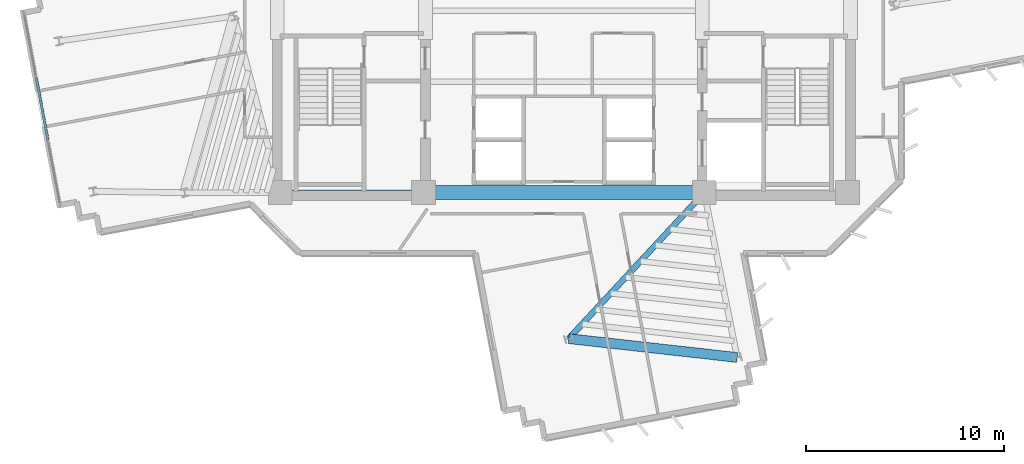
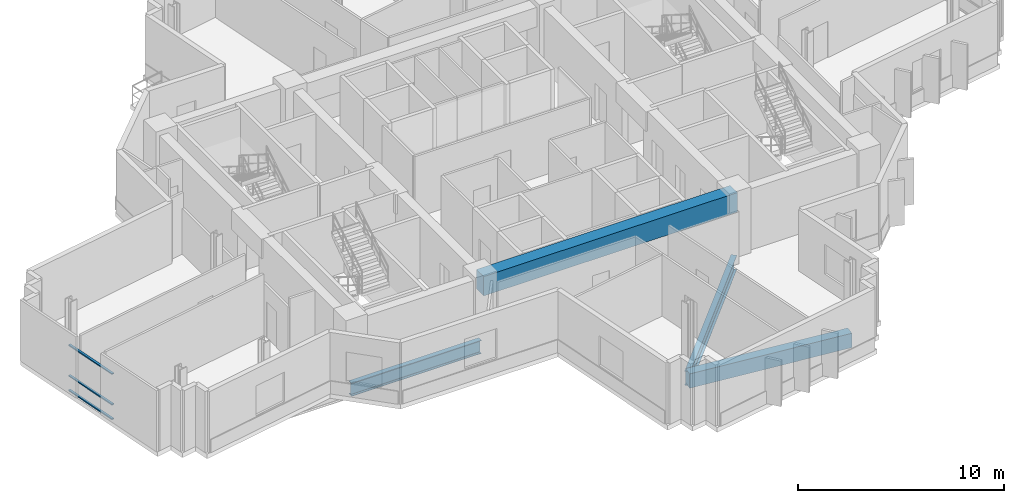
# One storey, part 3 of 16: 4 beams, 3 members, 1 element without a shape of its own.
"""IFC4 building model written with IfcOpenShell, lengths in metres."""

from ifc_helpers import new_model, si_unit, direction, frame, origin, origin_2d, place, context, subcontext, project, spatial, rectangle, i_section, extrude, source, transform, mapped, material, layer, layer_set, material_profile, profile_set, type_object, element, aggregate, save


model = new_model("IFC4")

# Units and contexts
model_context = context("Model", 3, precision=1e-05, world=origin(), true_north=direction((0.0, 1.0)))
body_context = subcontext(model_context, "Body", "Model", "MODEL_VIEW")
ifc_project = project(units=[si_unit("LENGTHUNIT", "METRE"), si_unit("AREAUNIT", "SQUARE_METRE"), si_unit("VOLUMEUNIT", "CUBIC_METRE"), si_unit("PLANEANGLEUNIT", "RADIAN"), si_unit("MASSUNIT", "GRAM", prefix="KILO")], contexts=[model_context])

# Site, building, storey
site_placement = place(None, origin())
site = spatial("IfcSite", under=ifc_project, at=site_placement, CompositionType="ELEMENT")
building_placement = place(site_placement, origin())
building = spatial("IfcBuilding", under=site, at=building_placement, Name="Zahravan Cultural Tower", CompositionType="ELEMENT")
storey_placement = place(building_placement, frame((0.0, 0.0, 155.10009765625)))
storey = spatial("IfcBuildingStorey", under=building, at=storey_placement, Name="L35", CompositionType="ELEMENT", Elevation=155.10009765625)

# Beams
ifc_material_1 = material(Name="Concrete C50/60", Category="concrete")
ifc_material_profile_1 = material_profile(ifc_material_1, rectangle(XDim=0.699951171875, YDim=1.14990234375, at=origin_2d()), Name="RC700X1150")
ifc_profile_set_1 = profile_set([ifc_material_profile_1], Name="Concrete C50/60")
beam_type_1 = type_object("IfcBeamType", Name="BM-LN-RC700X1150", PredefinedType="LINTEL", material=ifc_profile_set_1)
shared_shape_1 = source(origin(), body_context, "Body", "SweptSolid", [
    extrude(rectangle(XDim=0.699951171875, YDim=1.14990234375, at=origin_2d()), origin(), (0.0, 0.0, 1.0), 14.2001953125),
])
beam_1_placement = place(storey_placement, frame((28.89990234375, 17.800048828125, 3.044921875), z_axis=(1.0, 0.0, 0.0), x_axis=(0.0, 1.0, 0.0)))
element("IfcBeam", 1, at=beam_1_placement, inside=storey, type_object=beam_type_1, Name="L35 Beam LN-L35-S", PredefinedType="LINTEL", context=body_context, shape_type="MappedRepresentation", body=[
    mapped(shared_shape_1, transform((0.0, 0.0, 0.0), x_axis=(1.0, 0.0, 0.0), y_axis=(0.0, 1.0, 0.0), z_axis=(0.0, 0.0, 1.0), scale=1.0)),
])
ifc_material_2 = material(Name="Steel ASTM A992 Grade 50", Category="steel")
ifc_material_profile_2 = material_profile(ifc_material_2, i_section(OverallWidth=0.26611328125, OverallDepth=0.780029296875, WebThickness=0.0166015625, FlangeThickness=0.030029296875, FilletRadius=0.01904296875, at=origin_2d()), Name="W30X148")
ifc_profile_set_2 = profile_set([ifc_material_profile_2], Name="Steel ASTM A992 Grade 50")
beam_type_2 = type_object("IfcBeamType", Name="BM-G-W30X148", PredefinedType="BEAM", material=ifc_profile_set_2)
shared_shape_2 = source(origin(), body_context, "Body", "SweptSolid", [
    extrude(i_section(OverallWidth=0.26611328125, OverallDepth=0.780029296875, WebThickness=0.0166015625, FlangeThickness=0.030029296875, FilletRadius=0.01904296875, at=origin_2d()), origin(), (0.0, 0.0, 1.0), 7.25),
])
beam_2_placement = place(storey_placement, frame((21.64990234375, 17.800048828125, -0.670166015625), z_axis=(1.0, 0.0, 0.0), x_axis=(0.0, 1.0, 0.0)))
element("IfcBeam", 2, at=beam_2_placement, inside=storey, type_object=beam_type_2, Name="L35 Beam BG-L35-01", PredefinedType="BEAM", context=body_context, shape_type="MappedRepresentation", body=[
    mapped(shared_shape_2, transform((0.0, 0.0, 0.0), x_axis=(1.0, 0.0, 0.0), y_axis=(0.0, 1.0, 0.0), z_axis=(0.0, 0.0, 1.0), scale=1.0)),
])
ifc_material_profile_3 = material_profile(ifc_material_1, rectangle(XDim=0.5, YDim=0.85009765625, at=origin_2d()), Name="RC500X850")
ifc_profile_set_3 = profile_set([ifc_material_profile_3], Name="Concrete C50/60")
beam_type_3 = type_object("IfcBeamType", Name="BM-SP-RC500X850", PredefinedType="SPANDREL", material=ifc_profile_set_3)
shared_shape_3 = source(origin(), body_context, "Body", "SweptSolid", [
    extrude(rectangle(XDim=0.5, YDim=0.85009765625, at=origin_2d()), origin(), (0.0, 0.0, 1.0), 8.579833984375),
])
beam_3_placement = place(storey_placement, frame((36.245361328125, 10.412353515625, -0.705078125), z_axis=(0.9938040105, -0.11114669907, 0.0), x_axis=(0.11114669907, 0.9938040105, 0.0)))
element("IfcBeam", 3, at=beam_3_placement, inside=storey, type_object=beam_type_3, Name="L35 Beam SP-L35-20", PredefinedType="SPANDREL", context=body_context, shape_type="MappedRepresentation", body=[
    mapped(shared_shape_3, transform((0.0, 0.0, 0.0), x_axis=(1.0, 0.0, 0.0), y_axis=(0.0, 1.0, 0.0), z_axis=(0.0, 0.0, 1.0), scale=1.0)),
])
ifc_material_profile_4 = material_profile(ifc_material_2, i_section(OverallWidth=0.29296875, OverallDepth=0.845947265625, WebThickness=0.015380859375, FlangeThickness=0.0244140625, FilletRadius=0.02001953125, at=origin_2d()), Name="W33X141")
ifc_profile_set_4 = profile_set([ifc_material_profile_4], Name="Steel ASTM A992 Grade 50")
beam_type_4 = type_object("IfcBeamType", Name="BM-G-W33X141", PredefinedType="BEAM", material=ifc_profile_set_4)
shared_shape_4 = source(origin(), body_context, "Body", "SweptSolid", [
    extrude(i_section(OverallWidth=0.29296875, OverallDepth=0.845947265625, WebThickness=0.015380859375, FlangeThickness=0.0244140625, FilletRadius=0.02001953125, at=origin_2d()), origin(), (0.0, 0.0, 1.0), 10.077880859375),
])
beam_4_placement = place(storey_placement, frame((43.10009765625, 17.800048828125, -0.703125), z_axis=(-0.680170435587, -0.733054007938, 0.0), x_axis=(0.733054007938, -0.680170435587, 0.0)))
element("IfcBeam", 4, at=beam_4_placement, inside=storey, type_object=beam_type_4, Name="L35 Beam BG-L35-09", PredefinedType="BEAM", context=body_context, shape_type="MappedRepresentation", body=[
    mapped(shared_shape_4, transform((0.0, 0.0, 0.0), x_axis=(1.0, 0.0, 0.0), y_axis=(0.0, 1.0, 0.0), z_axis=(0.0, 0.0, 1.0), scale=1.0)),
])

# Curtain wall, members
ifc_material_3 = material(Name="Anodised bronze-aluminium mullion", Category="aluminium")
ifc_layer = layer(ifc_material_3, 0.1650390625)
ifc_layer_set = layer_set([ifc_layer], Name="Anodised bronze-aluminium mullion")
curtain_wall_type = type_object("IfcCurtainWallType", Name="CW-SYS-4", PredefinedType="USERDEFINED", material=ifc_layer_set)
curtain_wall_placement = place(storey_placement, origin())
curtain_wall = element("IfcCurtainWall", 5, at=curtain_wall_placement, inside=storey, type_object=curtain_wall_type, Name="L35 Recessed Curtain Wall CW-4.2", ObjectType="RECESSED GLAZING", PredefinedType="USERDEFINED")
ifc_material_profile_5 = material_profile(ifc_material_3, rectangle(XDim=0.1298828125, YDim=0.06494140625, at=origin_2d()), Name="AL-T65X130")
ifc_profile_set_5 = profile_set([ifc_material_profile_5], Name="Anodised bronze-aluminium mullion")
member_type = type_object("IfcMemberType", Name="CWT-CW-4", PredefinedType="USERDEFINED", material=ifc_profile_set_5)
shared_shape_5 = source(origin(), body_context, "Body", "SweptSolid", [
    extrude(rectangle(XDim=0.1298828125, YDim=0.06494140625, at=origin_2d()), origin(), (0.0, 0.0, 1.0), 3.241455078125),
])
member_1_placement = place(storey_placement, frame((9.901123046875, 20.44775390625, 0.032470703125), z_axis=(-0.184675048649, 0.982799636959, 0.0), x_axis=(-0.982799636959, -0.184675048649, 0.0)))
member_1 = element("IfcMember", 6, at=member_1_placement, type_object=member_type, Name="CW-4 transom 2.1", ObjectType="TRANSOM", PredefinedType="USERDEFINED", context=body_context, shape_type="MappedRepresentation", body=[
    mapped(shared_shape_5, transform((0.0, 0.0, 0.0), x_axis=(1.0, 0.0, 0.0), y_axis=(0.0, 1.0, 0.0), z_axis=(0.0, 0.0, 1.0), scale=1.0)),
])
member_2_placement = place(storey_placement, frame((9.901123046875, 20.44775390625, 0.89990234375), z_axis=(-0.184675048649, 0.982799636959, 0.0), x_axis=(-0.982799636959, -0.184675048649, 0.0)))
member_2 = element("IfcMember", 7, at=member_2_placement, type_object=member_type, Name="CW-4 transom 2.2", ObjectType="TRANSOM", PredefinedType="USERDEFINED", context=body_context, shape_type="MappedRepresentation", body=[
    mapped(shared_shape_5, transform((0.0, 0.0, 0.0), x_axis=(1.0, 0.0, 0.0), y_axis=(0.0, 1.0, 0.0), z_axis=(0.0, 0.0, 1.0), scale=1.0)),
])
member_3_placement = place(storey_placement, frame((9.901123046875, 20.44775390625, 2.70751953125), z_axis=(-0.184675048649, 0.982799636959, 0.0), x_axis=(-0.982799636959, -0.184675048649, 0.0)))
member_3 = element("IfcMember", 8, at=member_3_placement, type_object=member_type, Name="CW-4 transom 2.3", ObjectType="TRANSOM", PredefinedType="USERDEFINED", context=body_context, shape_type="MappedRepresentation", body=[
    mapped(shared_shape_5, transform((0.0, 0.0, 0.0), x_axis=(1.0, 0.0, 0.0), y_axis=(0.0, 1.0, 0.0), z_axis=(0.0, 0.0, 1.0), scale=1.0)),
])
aggregate(curtain_wall, [member_1, member_2, member_3])

save(model, "model.ifc")
